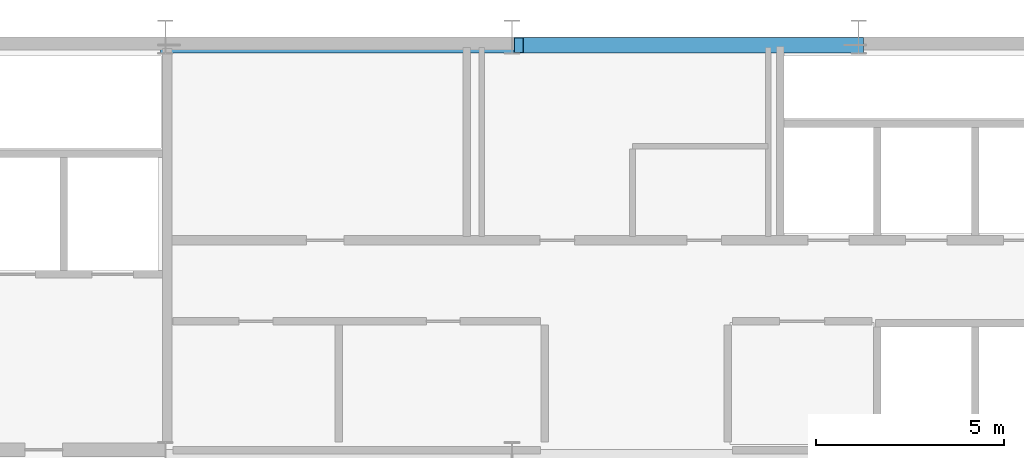
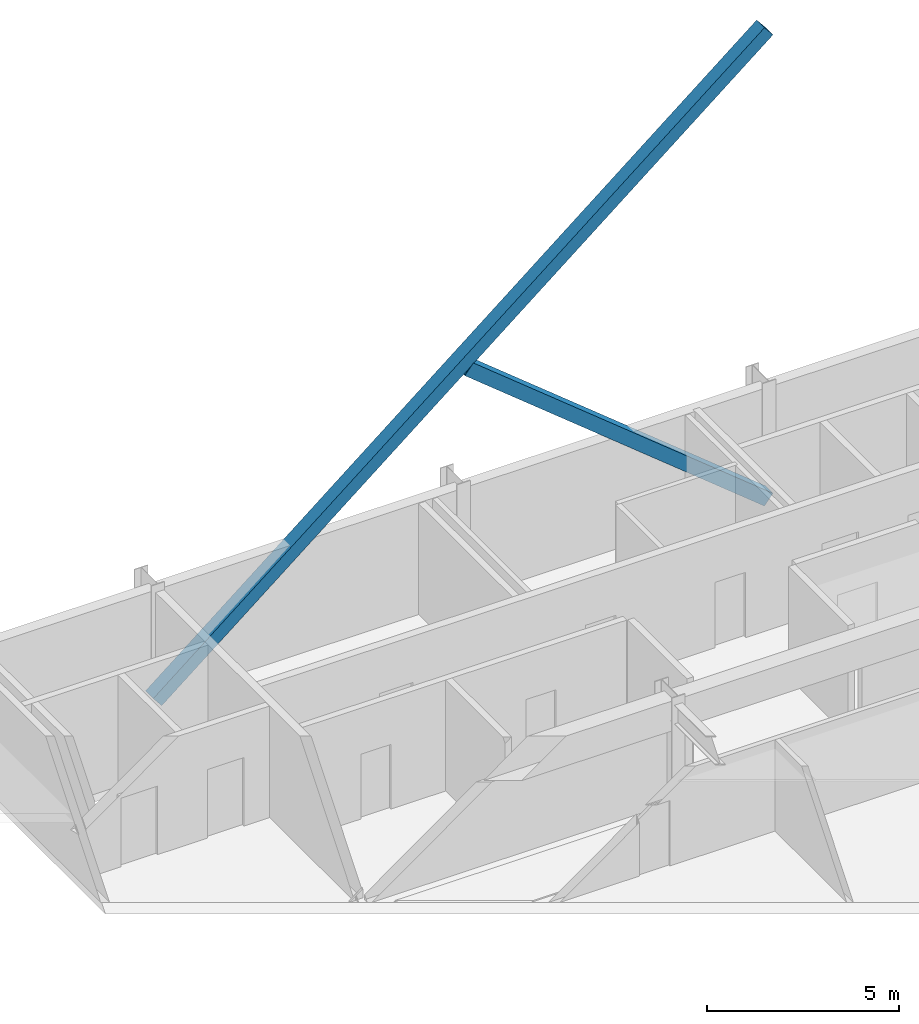
# One storey, part 22 of 31: 2 members.
"""IFC4 building model written with IfcOpenShell, lengths in metres."""

from ifc_helpers import new_model, si_unit, direction, frame, origin, origin_2d, place, context, subcontext, project, spatial, hollow_rectangle, extrude, source, transform, mapped, material, material_profile, profile_set, type_object, type_shapes, element, save


model = new_model("IFC4")

# Units and contexts
model_context = context("Model", 3, precision=1e-05, world=origin(), true_north=direction((0.0, 1.0)))
body_context = subcontext(model_context, "Body", "Model", "MODEL_VIEW")
ifc_project = project(units=[si_unit("LENGTHUNIT", "METRE"), si_unit("AREAUNIT", "SQUARE_METRE"), si_unit("VOLUMEUNIT", "CUBIC_METRE"), si_unit("PLANEANGLEUNIT", "RADIAN"), si_unit("MASSUNIT", "GRAM", prefix="KILO")], contexts=[model_context])

# Site, building, storey
site_placement = place(None, origin())
site = spatial("IfcSite", under=ifc_project, at=site_placement, CompositionType="ELEMENT")
building_placement = place(site_placement, origin())
building = spatial("IfcBuilding", under=site, at=building_placement, Name="Varnel Quay Broadcast Tower", CompositionType="ELEMENT")
storey_placement = place(building_placement, frame((0.0, 0.0, 215.0)))
storey = spatial("IfcBuildingStorey", under=building, at=storey_placement, Name="L53", CompositionType="ELEMENT", Elevation=215.0)

# Members
ifc_material = material(Name="Structural Steel CSA G40.21 350W", Category="steel")
ifc_material_profile = material_profile(ifc_material, hollow_rectangle(XDim=0.406005859375, YDim=0.406005859375, WallThickness=0.01611328125, at=origin_2d()), Name="HSS406X406X16")
ifc_profile_set = profile_set([ifc_material_profile], Name="Structural Steel CSA G40.21 350W")
member_type = type_object("IfcMemberType", Name="Brace_HSS406X406X16", PredefinedType="BRACE", material=ifc_profile_set)
shared_shape_1 = source(origin(), body_context, "Body", "SweptSolid", [
    extrude(hollow_rectangle(XDim=0.406005859375, YDim=0.406005859375, WallThickness=0.01611328125, at=origin_2d()), origin(), (0.0, 0.0, 1.0), 23.6826171875),
])
member_1_placement = place(storey_placement, frame((24.800048828125, 46.580078125, 0.02001953125), z_axis=(0.77694013059, 0.0, 0.629574486045), x_axis=(0.0, 1.0, 0.0)))
element("IfcMember", 1, at=member_1_placement, inside=storey, type_object=member_type, Name="Zone 4 Mega-Brace N-CT2 Continuous Diag A", PredefinedType="BRACE", context=body_context, shape_type="MappedRepresentation", body=[
    mapped(shared_shape_1, transform((0.0, 0.0, 0.0), x_axis=(1.0, 0.0, 0.0), y_axis=(0.0, 1.0, 0.0), z_axis=(0.0, 0.0, 1.0), scale=1.0)),
])
shared_shape_2 = source(origin(), body_context, "Body", "SweptSolid", [
    extrude(hollow_rectangle(XDim=0.406005859375, YDim=0.406005859375, WallThickness=0.01611328125, at=origin_2d()), origin(), (0.0, 0.0, 1.0), 11.608642578125),
])
type_shapes(member_type, [shared_shape_1, shared_shape_2])
member_2_placement = place(storey_placement, frame((43.199951171875, 46.580078125, 0.02001953125), z_axis=(-0.776938680611, 0.0, 0.629576275418), x_axis=(0.0, -1.0, 0.0)))
element("IfcMember", 2, at=member_2_placement, inside=storey, type_object=member_type, Name="Zone 4 Mega-Brace N-CT2 Split Diag B1", PredefinedType="BRACE", context=body_context, shape_type="MappedRepresentation", body=[
    mapped(shared_shape_2, transform((0.0, 0.0, 0.0), x_axis=(1.0, 0.0, 0.0), y_axis=(0.0, 1.0, 0.0), z_axis=(0.0, 0.0, 1.0), scale=1.0)),
])

save(model, "model.ifc")
